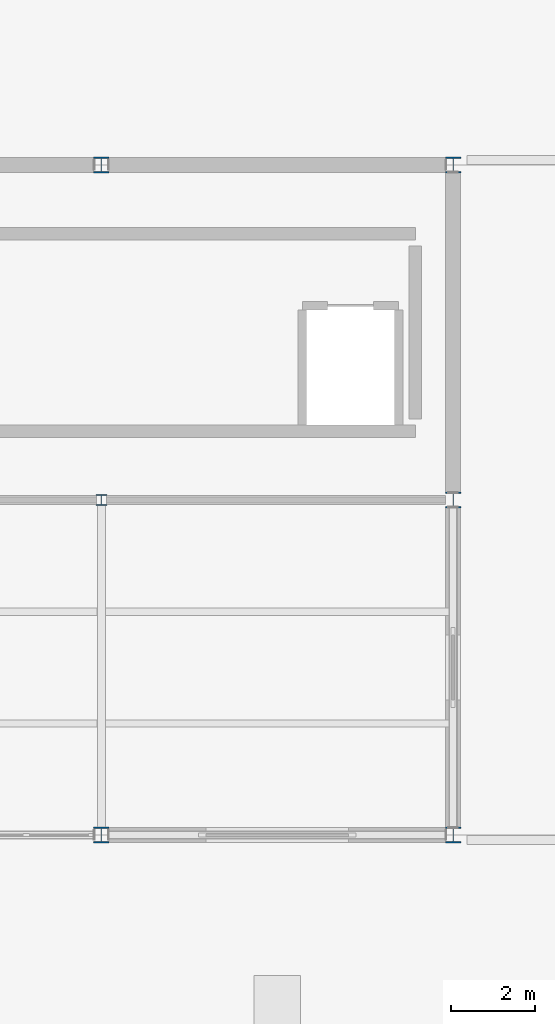
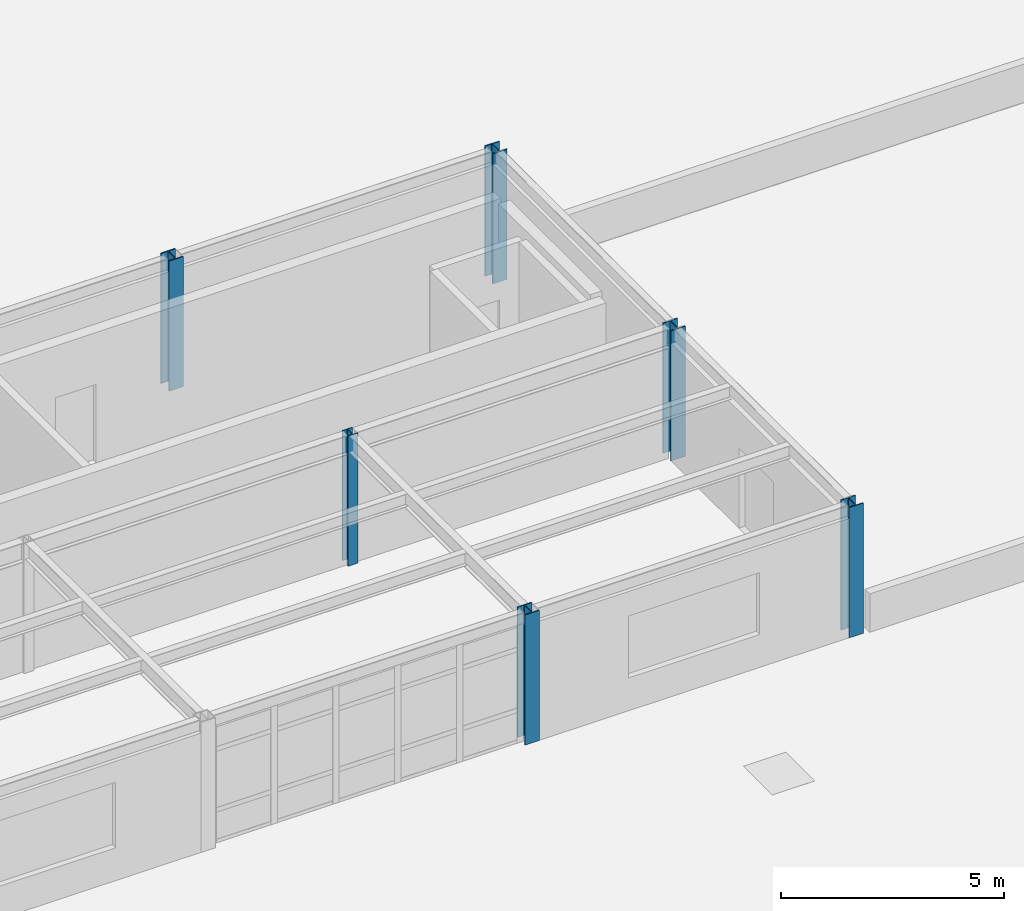
# One storey, part 4 of 96: 6 columns.
"""IFC4 building model written with IfcOpenShell, lengths in metres."""

from ifc_helpers import new_model, si_unit, direction, frame, origin, origin_2d, place, context, subcontext, project, spatial, i_section, extrude, material, material_profile, profile_set, type_object, element, save


model = new_model("IFC4")

# Units and contexts
model_context = context("Model", 3, precision=1e-05, world=origin(), true_north=direction((0.0, 1.0)))
body_context = subcontext(model_context, "Body", "Model", "MODEL_VIEW")
ifc_project = project(units=[si_unit("LENGTHUNIT", "METRE"), si_unit("AREAUNIT", "SQUARE_METRE"), si_unit("VOLUMEUNIT", "CUBIC_METRE"), si_unit("PLANEANGLEUNIT", "RADIAN"), si_unit("MASSUNIT", "GRAM", prefix="KILO")], contexts=[model_context])

# Site, building, storey
site_placement = place(None, origin())
site = spatial("IfcSite", under=ifc_project, at=site_placement, CompositionType="ELEMENT")
building_placement = place(site_placement, origin())
building = spatial("IfcBuilding", under=site, at=building_placement, Name="Kranzveld Transit Interchange", CompositionType="ELEMENT")
storey_placement = place(building_placement, frame((0.0, 0.0, 9.52001953125)))
storey = spatial("IfcBuildingStorey", under=building, at=storey_placement, Name="L02", CompositionType="ELEMENT", Elevation=9.52001953125)

# Columns
ifc_material_1 = material(Name="Steel S355JR", Category="steel")
ifc_material_profile_1 = material_profile(ifc_material_1, i_section(OverallWidth=0.2587890625, OverallDepth=0.2666015625, WebThickness=0.0126953125, FlangeThickness=0.0205078125, FilletRadius=0.0126953125, at=origin_2d()), Name="UC 254x254x107")
ifc_profile_set_1 = profile_set([ifc_material_profile_1], Name="Steel S355JR")
column_type_1 = type_object("IfcColumnType", Name="Column Steel UC 254x254x107 S355JR", PredefinedType="COLUMN", material=ifc_profile_set_1)
column_placement = place(storey_placement, frame((67.199951171875, 32.0, 0.0), z_axis=(0.0, 0.0, 1.0), x_axis=(1.0, 0.0, 0.0)))
element("IfcColumn", 1, at=column_placement, inside=storey, type_object=column_type_1, Name="L02 Column 09/E", PredefinedType="COLUMN", context=body_context, shape_type="SweptSolid", body=[
    extrude(i_section(OverallWidth=0.2587890625, OverallDepth=0.2666015625, WebThickness=0.0126953125, FlangeThickness=0.0205078125, FilletRadius=0.0126953125, at=origin_2d()), origin(), (0.0, 0.0, 1.0), 3.570068359375),
])
ifc_material_2 = material(Name="Steel S355JR", Category="steel")
ifc_material_profile_2 = material_profile(ifc_material_2, i_section(OverallWidth=0.374755859375, OverallDepth=0.37451171875, WebThickness=0.0166015625, FlangeThickness=0.027099609375, FilletRadius=0.01513671875, at=origin_2d()), Name="UC 356x368x202")
ifc_profile_set_2 = profile_set([ifc_material_profile_2], Name="Steel S355JR")
column_type_2 = type_object("IfcColumnType", Name="Column Steel UC 356x368x202 S355JR", PredefinedType="COLUMN", material=ifc_profile_set_2)
for number, where, z_axis, x_axis, name in (
    (2, (67.199951171875, 24.0, 0.0), (0.0, 0.0, 1.0), (1.0, 0.0, 0.0), "L02 Column 09/D"),
    (3, (67.199951171875, 40.0, 0.0), (0.0, 0.0, 1.0), (1.0, 0.0, 0.0), "L02 Column 09/F"),
    (4, (75.60009765625, 24.0, 0.0), (0.0, 0.0, 1.0), (1.0, 0.0, 0.0), "L02 Column 10/D"),
    (5, (75.60009765625, 32.0, 0.0), (0.0, 0.0, 1.0), (1.0, 0.0, 0.0), "L02 Column 10/E"),
    (6, (75.60009765625, 40.0, 0.0), (0.0, 0.0, 1.0), (1.0, 0.0, 0.0), "L02 Column 10/F"),
):
    element("IfcColumn", number, at=place(storey_placement, frame(where, z_axis=z_axis, x_axis=x_axis)), inside=storey, type_object=column_type_2, Name=name, PredefinedType="COLUMN", context=body_context, shape_type="SweptSolid", body=[
        extrude(i_section(OverallWidth=0.374755859375, OverallDepth=0.37451171875, WebThickness=0.0166015625, FlangeThickness=0.027099609375, FilletRadius=0.01513671875, at=origin_2d()), origin(), (0.0, 0.0, 1.0), 3.570068359375),
    ])

save(model, "model.ifc")
